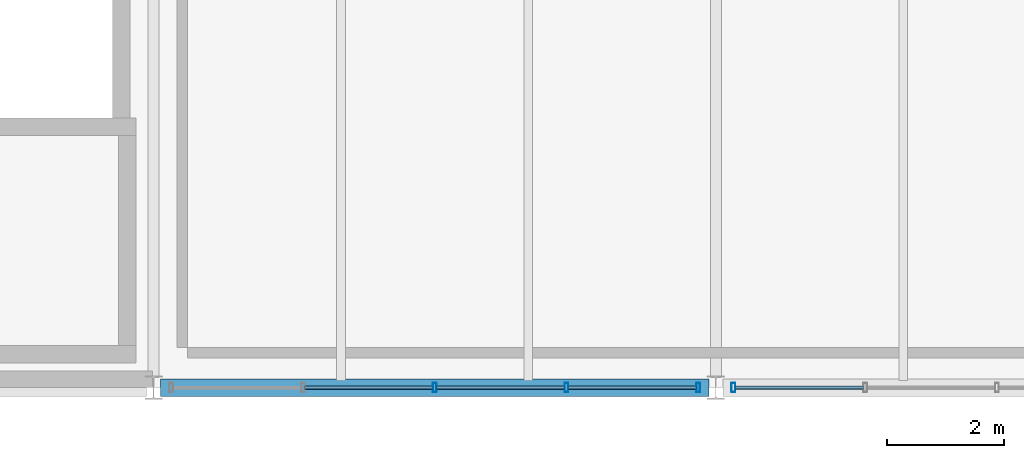
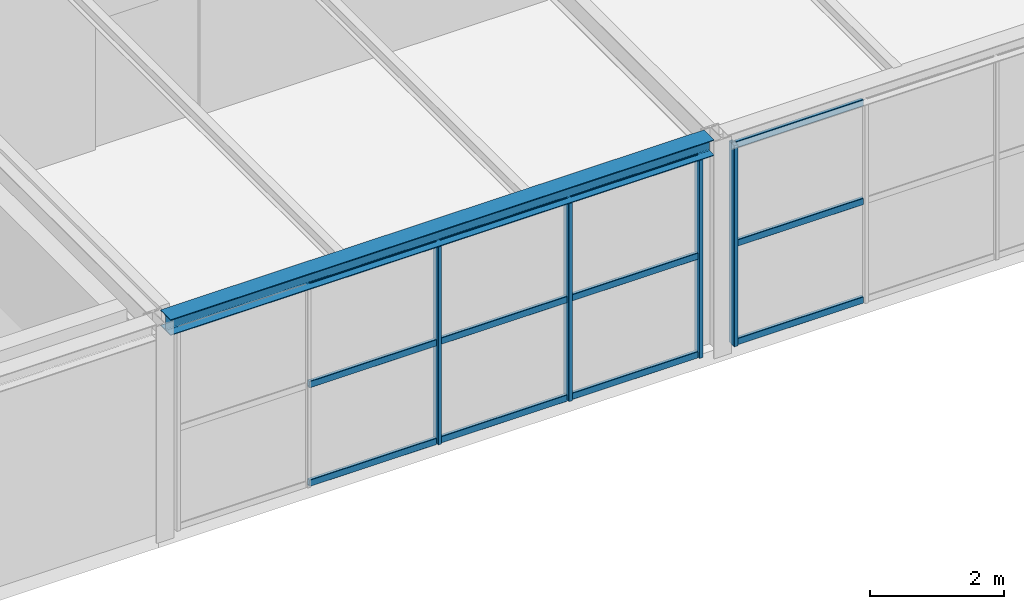
# One storey, part 23 of 126: 16 members, 1 beam, 2 elements without a shape of their own.
"""IFC4 building model written with IfcOpenShell, lengths in metres."""

from ifc_helpers import new_model, si_unit, direction, frame, origin, origin_2d, place, context, subcontext, project, spatial, hollow_rectangle, i_section, extrude, material, material_profile, profile_set, type_object, element, aggregate, save


model = new_model("IFC4")

# Units and contexts
model_context = context("Model", 3, precision=1e-05, world=origin(), true_north=direction((0.0, 1.0)))
body_context = subcontext(model_context, "Body", "Model", "MODEL_VIEW")
ifc_project = project(units=[si_unit("LENGTHUNIT", "METRE"), si_unit("AREAUNIT", "SQUARE_METRE"), si_unit("VOLUMEUNIT", "CUBIC_METRE"), si_unit("PLANEANGLEUNIT", "RADIAN"), si_unit("MASSUNIT", "GRAM", prefix="KILO")], contexts=[model_context])

# Site, building, storey
site_placement = place(None, origin())
site = spatial("IfcSite", under=ifc_project, at=site_placement, CompositionType="ELEMENT")
building_placement = place(site_placement, origin())
building = spatial("IfcBuilding", under=site, at=building_placement, Name="Coralgate Yard Interchange", CompositionType="ELEMENT")
storey_placement = place(building_placement, frame((0.0, 0.0, 10.5)))
storey = spatial("IfcBuildingStorey", under=building, at=storey_placement, Name="L02", CompositionType="ELEMENT", Elevation=10.5)

# Beam
ifc_material_1 = material(Name="Structural steel S355J2", Category="steel")
ifc_material_profile_1 = material_profile(ifc_material_1, i_section(OverallWidth=0.300048828125, OverallDepth=0.2900390625, WebThickness=0.008544921875, FlangeThickness=0.013916015625, FilletRadius=0.027099609375, at=origin_2d()), Name="HEA 300")
ifc_profile_set_1 = profile_set([ifc_material_profile_1], Name="Structural steel S355J2")
beam_type = type_object("IfcBeamType", Name="BM-SP-2", PredefinedType="SPANDREL", material=ifc_profile_set_1)
beam_placement = place(storey_placement, frame((28.919921875, 0.0, 3.804931640625), z_axis=(1.0, 0.0, 0.0), x_axis=(0.0, 1.0, 0.0)))
element("IfcBeam", 1, at=beam_placement, inside=storey, type_object=beam_type, Name="L02 primary grid beam Y0 X3-4", PredefinedType="SPANDREL", context=body_context, shape_type="SweptSolid", body=[
    extrude(i_section(OverallWidth=0.300048828125, OverallDepth=0.2900390625, WebThickness=0.008544921875, FlangeThickness=0.013916015625, FilletRadius=0.027099609375, at=origin_2d()), origin(), (0.0, 0.0, 1.0), 9.360107421875),
])

# Curtain wall, members
ifc_material_2 = material(Name="Anodised coastal aluminium and solar-control low-E glass", Category="aluminium")
curtain_wall_type = type_object("IfcCurtainWallType", Name="CW-CW-L02-A", PredefinedType="NOTDEFINED", material=ifc_material_2)
curtain_wall_1_placement = place(storey_placement, origin())
curtain_wall_1 = element("IfcCurtainWall", 2, at=curtain_wall_1_placement, inside=storey, type_object=curtain_wall_type, Name="L02 unitised curtain wall CW-L02-S-03-00", PredefinedType="NOTDEFINED")
ifc_material_3 = material(Name="Anodised coastal aluminium 6063-T6", Category="aluminium")
ifc_material_profile_2 = material_profile(ifc_material_3, hollow_rectangle(XDim=0.06494140625, YDim=0.159912109375, WallThickness=0.00390625, InnerFilletRadius=0.00390625, OuterFilletRadius=0.008056640625, at=origin_2d()), Name="ALU 65x160x4")
ifc_profile_set_2 = profile_set([ifc_material_profile_2], Name="Anodised coastal aluminium 6063-T6")
member_type_1 = type_object("IfcMemberType", Name="MB-MUL-160", PredefinedType="MULLION", material=ifc_profile_set_2)
member_1_placement = place(storey_placement, frame((38.10009765625, 0.0, 0.0), z_axis=(0.0, 0.0, 1.0), x_axis=(1.0, 0.0, 0.0)))
member_1 = element("IfcMember", 3, at=member_1_placement, type_object=member_type_1, Name="CW-L02-S-03-00 vertical mullion 1", PredefinedType="MULLION", context=body_context, shape_type="SweptSolid", body=[
    extrude(hollow_rectangle(XDim=0.06494140625, YDim=0.159912109375, WallThickness=0.00390625, InnerFilletRadius=0.00390625, OuterFilletRadius=0.008056640625, at=origin_2d()), origin(), (0.0, 0.0, 1.0), 3.659912109375),
])
member_2_placement = place(storey_placement, frame((35.85009765625, 0.0, 0.0), z_axis=(0.0, 0.0, 1.0), x_axis=(1.0, 0.0, 0.0)))
member_2 = element("IfcMember", 4, at=member_2_placement, type_object=member_type_1, Name="CW-L02-S-03-00 vertical mullion 2", PredefinedType="MULLION", context=body_context, shape_type="SweptSolid", body=[
    extrude(hollow_rectangle(XDim=0.06494140625, YDim=0.159912109375, WallThickness=0.00390625, InnerFilletRadius=0.00390625, OuterFilletRadius=0.008056640625, at=origin_2d()), origin(), (0.0, 0.0, 1.0), 3.659912109375),
])
member_3_placement = place(storey_placement, frame((33.60009765625, 0.0, 0.0), z_axis=(0.0, 0.0, 1.0), x_axis=(1.0, 0.0, 0.0)))
member_3 = element("IfcMember", 5, at=member_3_placement, type_object=member_type_1, Name="CW-L02-S-03-00 vertical mullion 3", PredefinedType="MULLION", context=body_context, shape_type="SweptSolid", body=[
    extrude(hollow_rectangle(XDim=0.06494140625, YDim=0.159912109375, WallThickness=0.00390625, InnerFilletRadius=0.00390625, OuterFilletRadius=0.008056640625, at=origin_2d()), origin(), (0.0, 0.0, 1.0), 3.659912109375),
])

# Curtain wall, member
curtain_wall_2_placement = place(storey_placement, origin())
curtain_wall_2 = element("IfcCurtainWall", 6, at=curtain_wall_2_placement, inside=storey, type_object=curtain_wall_type, Name="L02 unitised curtain wall CW-L02-S-04-00", PredefinedType="NOTDEFINED")
member_4_placement = place(storey_placement, frame((38.699951171875, 0.0, 0.0), z_axis=(0.0, 0.0, 1.0), x_axis=(1.0, 0.0, 0.0)))
member_4 = element("IfcMember", 7, at=member_4_placement, type_object=member_type_1, Name="CW-L02-S-04-00 vertical mullion 5", PredefinedType="MULLION", context=body_context, shape_type="SweptSolid", body=[
    extrude(hollow_rectangle(XDim=0.06494140625, YDim=0.159912109375, WallThickness=0.00390625, InnerFilletRadius=0.00390625, OuterFilletRadius=0.008056640625, at=origin_2d()), origin(), (0.0, 0.0, 1.0), 3.659912109375),
])

# Member
ifc_material_profile_3 = material_profile(ifc_material_3, hollow_rectangle(XDim=0.06005859375, YDim=0.1201171875, WallThickness=0.00341796875, InnerFilletRadius=0.00341796875, OuterFilletRadius=0.007080078125, at=origin_2d()), Name="ALU 60x120x3.5")
ifc_profile_set_3 = profile_set([ifc_material_profile_3], Name="Anodised coastal aluminium 6063-T6")
member_type_2 = type_object("IfcMemberType", Name="MB-TRN-120", PredefinedType="USERDEFINED", material=ifc_profile_set_3)
member_5_placement = place(storey_placement, frame((38.070068359375, 0.0, 0.034912109375), z_axis=(-1.0, 0.0, 0.0), x_axis=(0.0, -1.0, 0.0)))
member_5 = element("IfcMember", 8, at=member_5_placement, type_object=member_type_2, Name="CW-L02-S-03-00 horizontal transom 1-1", ObjectType="TRANSOM", PredefinedType="USERDEFINED", context=body_context, shape_type="SweptSolid", body=[
    extrude(hollow_rectangle(XDim=0.06005859375, YDim=0.1201171875, WallThickness=0.00341796875, InnerFilletRadius=0.00341796875, OuterFilletRadius=0.007080078125, at=origin_2d()), origin(), (0.0, 0.0, 1.0), 2.190185546875),
])

member_6_placement = place(storey_placement, frame((38.070068359375, 0.0, 1.830078125), z_axis=(-1.0, 0.0, 0.0), x_axis=(0.0, -1.0, 0.0)))
member_6 = element("IfcMember", 9, at=member_6_placement, type_object=member_type_2, Name="CW-L02-S-03-00 horizontal transom 1-2", ObjectType="TRANSOM", PredefinedType="USERDEFINED", context=body_context, shape_type="SweptSolid", body=[
    extrude(hollow_rectangle(XDim=0.06005859375, YDim=0.1201171875, WallThickness=0.00341796875, InnerFilletRadius=0.00341796875, OuterFilletRadius=0.007080078125, at=origin_2d()), origin(), (0.0, 0.0, 1.0), 2.190185546875),
])

member_7_placement = place(storey_placement, frame((38.070068359375, 0.0, 3.625), z_axis=(-1.0, 0.0, 0.0), x_axis=(0.0, -1.0, 0.0)))
member_7 = element("IfcMember", 10, at=member_7_placement, type_object=member_type_2, Name="CW-L02-S-03-00 horizontal transom 1-3", ObjectType="TRANSOM", PredefinedType="USERDEFINED", context=body_context, shape_type="SweptSolid", body=[
    extrude(hollow_rectangle(XDim=0.06005859375, YDim=0.1201171875, WallThickness=0.00341796875, InnerFilletRadius=0.00341796875, OuterFilletRadius=0.007080078125, at=origin_2d()), origin(), (0.0, 0.0, 1.0), 2.190185546875),
])

member_8_placement = place(storey_placement, frame((35.820068359375, 0.0, 0.034912109375), z_axis=(-1.0, 0.0, 0.0), x_axis=(0.0, -1.0, 0.0)))
member_8 = element("IfcMember", 11, at=member_8_placement, type_object=member_type_2, Name="CW-L02-S-03-00 horizontal transom 2-1", ObjectType="TRANSOM", PredefinedType="USERDEFINED", context=body_context, shape_type="SweptSolid", body=[
    extrude(hollow_rectangle(XDim=0.06005859375, YDim=0.1201171875, WallThickness=0.00341796875, InnerFilletRadius=0.00341796875, OuterFilletRadius=0.007080078125, at=origin_2d()), origin(), (0.0, 0.0, 1.0), 2.190185546875),
])

member_9_placement = place(storey_placement, frame((35.820068359375, 0.0, 1.830078125), z_axis=(-1.0, 0.0, 0.0), x_axis=(0.0, -1.0, 0.0)))
member_9 = element("IfcMember", 12, at=member_9_placement, type_object=member_type_2, Name="CW-L02-S-03-00 horizontal transom 2-2", ObjectType="TRANSOM", PredefinedType="USERDEFINED", context=body_context, shape_type="SweptSolid", body=[
    extrude(hollow_rectangle(XDim=0.06005859375, YDim=0.1201171875, WallThickness=0.00341796875, InnerFilletRadius=0.00341796875, OuterFilletRadius=0.007080078125, at=origin_2d()), origin(), (0.0, 0.0, 1.0), 2.190185546875),
])

member_10_placement = place(storey_placement, frame((35.820068359375, 0.0, 3.625), z_axis=(-1.0, 0.0, 0.0), x_axis=(0.0, -1.0, 0.0)))
member_10 = element("IfcMember", 13, at=member_10_placement, type_object=member_type_2, Name="CW-L02-S-03-00 horizontal transom 2-3", ObjectType="TRANSOM", PredefinedType="USERDEFINED", context=body_context, shape_type="SweptSolid", body=[
    extrude(hollow_rectangle(XDim=0.06005859375, YDim=0.1201171875, WallThickness=0.00341796875, InnerFilletRadius=0.00341796875, OuterFilletRadius=0.007080078125, at=origin_2d()), origin(), (0.0, 0.0, 1.0), 2.190185546875),
])

member_11_placement = place(storey_placement, frame((33.570068359375, 0.0, 0.034912109375), z_axis=(-1.0, 0.0, 0.0), x_axis=(0.0, -1.0, 0.0)))
member_11 = element("IfcMember", 14, at=member_11_placement, type_object=member_type_2, Name="CW-L02-S-03-00 horizontal transom 3-1", ObjectType="TRANSOM", PredefinedType="USERDEFINED", context=body_context, shape_type="SweptSolid", body=[
    extrude(hollow_rectangle(XDim=0.06005859375, YDim=0.1201171875, WallThickness=0.00341796875, InnerFilletRadius=0.00341796875, OuterFilletRadius=0.007080078125, at=origin_2d()), origin(), (0.0, 0.0, 1.0), 2.190185546875),
])

member_12_placement = place(storey_placement, frame((33.570068359375, 0.0, 1.830078125), z_axis=(-1.0, 0.0, 0.0), x_axis=(0.0, -1.0, 0.0)))
member_12 = element("IfcMember", 15, at=member_12_placement, type_object=member_type_2, Name="CW-L02-S-03-00 horizontal transom 3-2", ObjectType="TRANSOM", PredefinedType="USERDEFINED", context=body_context, shape_type="SweptSolid", body=[
    extrude(hollow_rectangle(XDim=0.06005859375, YDim=0.1201171875, WallThickness=0.00341796875, InnerFilletRadius=0.00341796875, OuterFilletRadius=0.007080078125, at=origin_2d()), origin(), (0.0, 0.0, 1.0), 2.190185546875),
])

member_13_placement = place(storey_placement, frame((33.570068359375, 0.0, 3.625), z_axis=(-1.0, 0.0, 0.0), x_axis=(0.0, -1.0, 0.0)))
member_13 = element("IfcMember", 16, at=member_13_placement, type_object=member_type_2, Name="CW-L02-S-03-00 horizontal transom 3-3", ObjectType="TRANSOM", PredefinedType="USERDEFINED", context=body_context, shape_type="SweptSolid", body=[
    extrude(hollow_rectangle(XDim=0.06005859375, YDim=0.1201171875, WallThickness=0.00341796875, InnerFilletRadius=0.00341796875, OuterFilletRadius=0.007080078125, at=origin_2d()), origin(), (0.0, 0.0, 1.0), 2.190185546875),
])

aggregate(curtain_wall_1, [member_1, member_2, member_3, member_5, member_6, member_7, member_8, member_9, member_10, member_11, member_12, member_13])

member_14_placement = place(storey_placement, frame((40.919921875, 0.0, 0.034912109375), z_axis=(-1.0, 0.0, 0.0), x_axis=(0.0, -1.0, 0.0)))
member_14 = element("IfcMember", 17, at=member_14_placement, type_object=member_type_2, Name="CW-L02-S-04-00 horizontal transom 4-1", ObjectType="TRANSOM", PredefinedType="USERDEFINED", context=body_context, shape_type="SweptSolid", body=[
    extrude(hollow_rectangle(XDim=0.06005859375, YDim=0.1201171875, WallThickness=0.00341796875, InnerFilletRadius=0.00341796875, OuterFilletRadius=0.007080078125, at=origin_2d()), origin(), (0.0, 0.0, 1.0), 2.18994140625),
])

member_15_placement = place(storey_placement, frame((40.919921875, 0.0, 1.830078125), z_axis=(-1.0, 0.0, 0.0), x_axis=(0.0, -1.0, 0.0)))
member_15 = element("IfcMember", 18, at=member_15_placement, type_object=member_type_2, Name="CW-L02-S-04-00 horizontal transom 4-2", ObjectType="TRANSOM", PredefinedType="USERDEFINED", context=body_context, shape_type="SweptSolid", body=[
    extrude(hollow_rectangle(XDim=0.06005859375, YDim=0.1201171875, WallThickness=0.00341796875, InnerFilletRadius=0.00341796875, OuterFilletRadius=0.007080078125, at=origin_2d()), origin(), (0.0, 0.0, 1.0), 2.18994140625),
])

member_16_placement = place(storey_placement, frame((40.919921875, 0.0, 3.625), z_axis=(-1.0, 0.0, 0.0), x_axis=(0.0, -1.0, 0.0)))
member_16 = element("IfcMember", 19, at=member_16_placement, type_object=member_type_2, Name="CW-L02-S-04-00 horizontal transom 4-3", ObjectType="TRANSOM", PredefinedType="USERDEFINED", context=body_context, shape_type="SweptSolid", body=[
    extrude(hollow_rectangle(XDim=0.06005859375, YDim=0.1201171875, WallThickness=0.00341796875, InnerFilletRadius=0.00341796875, OuterFilletRadius=0.007080078125, at=origin_2d()), origin(), (0.0, 0.0, 1.0), 2.18994140625),
])

aggregate(curtain_wall_2, [member_4, member_14, member_15, member_16])

save(model, "model.ifc")
